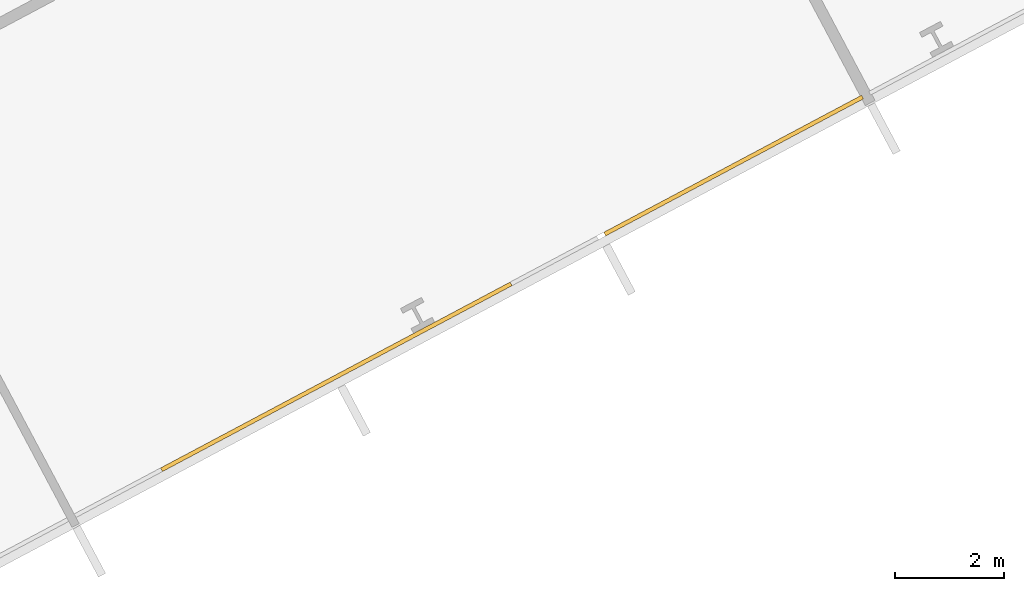
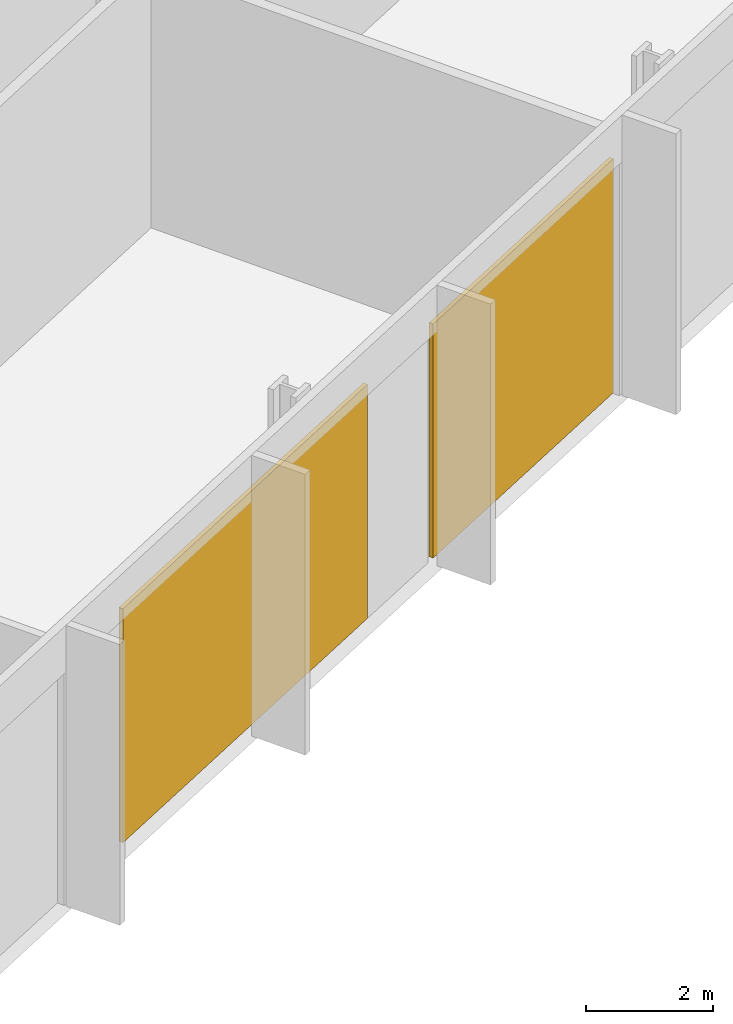
# One storey, part 28 of 32: 2 coverings, 1 element without a shape of its own.
"""IFC4 building model written with IfcOpenShell, lengths in metres."""

from ifc_helpers import new_model, si_unit, direction, frame, origin, origin_2d, place, context, subcontext, project, spatial, rectangle, extrude, material, layer, layer_set, type_object, element, aggregate, save


model = new_model("IFC4")

# Units and contexts
model_context = context("Model", 3, precision=1e-05, world=origin(), true_north=direction((0.0, 1.0)))
body_context = subcontext(model_context, "Body", "Model", "MODEL_VIEW")
ifc_project = project(units=[si_unit("LENGTHUNIT", "METRE"), si_unit("AREAUNIT", "SQUARE_METRE"), si_unit("VOLUMEUNIT", "CUBIC_METRE"), si_unit("PLANEANGLEUNIT", "RADIAN"), si_unit("MASSUNIT", "GRAM", prefix="KILO")], contexts=[model_context])

# Site, building, storey
site_placement = place(None, origin())
site = spatial("IfcSite", under=ifc_project, at=site_placement, CompositionType="ELEMENT")
building_placement = place(site_placement, origin())
building = spatial("IfcBuilding", under=site, at=building_placement, Name="Cormorant Relay Tower", CompositionType="ELEMENT")
storey_placement = place(building_placement, frame((0.0, 0.0, 60.800048828125)))
storey = spatial("IfcBuildingStorey", under=building, at=storey_placement, Name="L11", CompositionType="ELEMENT", Elevation=60.800048828125)

# Curtain wall, coverings
ifc_material_1 = material(Name="Aluminium 6063-T6 anodised bronze", Category="aluminium")
ifc_layer_1 = layer(ifc_material_1, 0.235107421875)
ifc_layer_set_1 = layer_set([ifc_layer_1], Name="CW6 data hall curtain wall with mineral wool panels")
curtain_wall_type = type_object("IfcCurtainWallType", Name="CW6 data hall curtain wall with mineral wool panels", PredefinedType="NOTDEFINED", material=ifc_layer_set_1)
curtain_wall_placement = place(storey_placement, origin())
curtain_wall = element("IfcCurtainWall", 1, at=curtain_wall_placement, inside=storey, type_object=curtain_wall_type, Name="CW6 curtain wall 2", PredefinedType="NOTDEFINED")
ifc_material_2 = material(Name="Mineral wool cored anodised bronze aluminium cassette panel", Category="aluminium")
ifc_layer_2 = layer(ifc_material_2, 0.074951171875)
ifc_layer_set_2 = layer_set([ifc_layer_2], Name="CW6 mineral wool cassette panel 75")
covering_type = type_object("IfcCoveringType", Name="CW6 mineral wool cassette panel 75", PredefinedType="CLADDING", material=ifc_layer_set_2)
covering_1_placement = place(storey_placement, frame((51.333251953125, 3.468017578125, 0.0), z_axis=(0.0, 0.0, 1.0), x_axis=(0.882947592859, 0.469471562786, 0.0)))
covering_1 = element("IfcCovering", 2, at=covering_1_placement, type_object=covering_type, Name="CW6 panel S10", PredefinedType="CLADDING", context=body_context, shape_type="SweptSolid", body=[
    extrude(rectangle(XDim=7.273681640625, YDim=0.074951171875, at=origin_2d()), origin(), (0.0, 0.0, 1.0), 4.5),
])
covering_2_placement = place(storey_placement, frame((58.63330078125, 7.349365234375, 0.0), z_axis=(0.0, 0.0, 1.0), x_axis=(0.882947592859, 0.469471562786, 0.0)))
covering_2 = element("IfcCovering", 3, at=covering_2_placement, type_object=covering_type, Name="CW6 panel S12", PredefinedType="CLADDING", context=body_context, shape_type="SweptSolid", body=[
    extrude(rectangle(XDim=5.36181640625, YDim=0.074951171875, at=origin_2d()), origin(), (0.0, 0.0, 1.0), 4.5),
])
aggregate(curtain_wall, [covering_1, covering_2])

save(model, "model.ifc")
